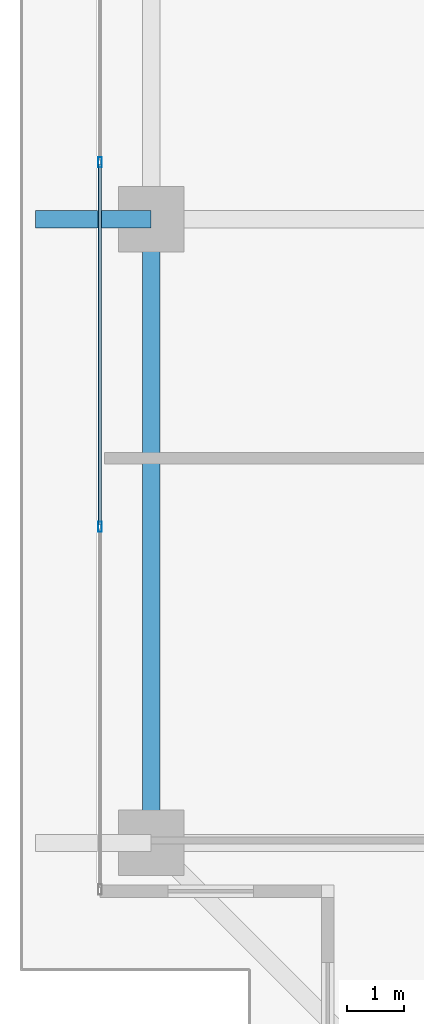
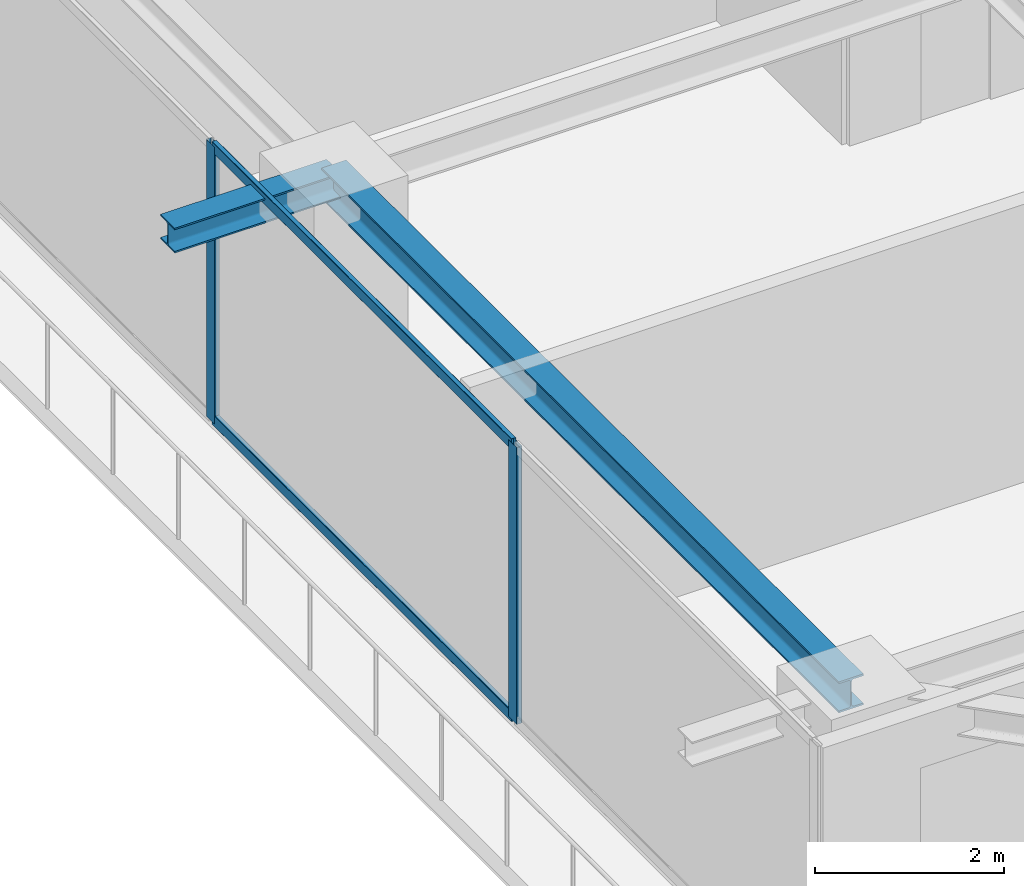
# One storey, part 7 of 38: 4 members, 2 beams, 1 element without a shape of its own.
"""IFC4 building model written with IfcOpenShell, lengths in metres."""

from ifc_helpers import new_model, si_unit, direction, frame, origin, origin_2d, place, context, subcontext, project, spatial, hollow_rectangle, i_section, extrude, source, transform, mapped, material, layer, layer_set, material_profile, profile_set, type_object, element, aggregate, save


model = new_model("IFC4")

# Units and contexts
model_context = context("Model", 3, precision=1e-05, world=origin(), true_north=direction((0.0, 1.0)))
body_context = subcontext(model_context, "Body", "Model", "MODEL_VIEW")
ifc_project = project(units=[si_unit("LENGTHUNIT", "METRE"), si_unit("AREAUNIT", "SQUARE_METRE"), si_unit("VOLUMEUNIT", "CUBIC_METRE"), si_unit("PLANEANGLEUNIT", "RADIAN"), si_unit("MASSUNIT", "GRAM", prefix="KILO")], contexts=[model_context])

# Site, building, storey
site_placement = place(None, origin())
site = spatial("IfcSite", under=ifc_project, at=site_placement, CompositionType="ELEMENT")
building_placement = place(site_placement, origin())
building = spatial("IfcBuilding", under=site, at=building_placement, Name="Serunith Strait Residences", CompositionType="ELEMENT")
storey_placement = place(building_placement, frame((0.0, 0.0, 245.10009765625)))
storey = spatial("IfcBuildingStorey", under=building, at=storey_placement, Name="L61", CompositionType="ELEMENT", Elevation=245.10009765625)

# Beams
ifc_material_1 = material(Name="Steel S355J2", Category="steel")
ifc_material_profile_1 = material_profile(ifc_material_1, i_section(OverallWidth=0.300048828125, OverallDepth=0.39990234375, WebThickness=0.013427734375, FlangeThickness=0.02392578125, FilletRadius=0.027099609375, at=origin_2d()), Name="HEB 400")
ifc_profile_set_1 = profile_set([ifc_material_profile_1], Name="Steel S355J2")
beam_type_1 = type_object("IfcBeamType", Name="BM-HEB400", PredefinedType="BEAM", material=ifc_profile_set_1)
shared_shape_1 = source(origin(), body_context, "Body", "SweptSolid", [
    extrude(i_section(OverallWidth=0.300048828125, OverallDepth=0.39990234375, WebThickness=0.013427734375, FlangeThickness=0.02392578125, FilletRadius=0.027099609375, at=origin_2d()), origin(), (0.0, 0.0, 1.0), 10.949951171875),
])
beam_1_placement = place(storey_placement, frame((8.300048828125, 21.0, 3.386962890625), z_axis=(0.0, -1.0, 0.0), x_axis=(1.0, 0.0, 0.0)))
element("IfcBeam", 1, at=beam_1_placement, inside=storey, type_object=beam_type_1, Name="L61 Perimeter Ring Beam 15", PredefinedType="BEAM", context=body_context, shape_type="MappedRepresentation", body=[
    mapped(shared_shape_1, transform((0.0, 0.0, 0.0), scale=1.0)),
])
ifc_material_profile_2 = material_profile(ifc_material_1, i_section(OverallWidth=0.300048828125, OverallDepth=0.320068359375, WebThickness=0.011474609375, FlangeThickness=0.0205078125, FilletRadius=0.027099609375, at=origin_2d()), Name="HEB 320")
ifc_profile_set_2 = profile_set([ifc_material_profile_2], Name="Steel S355J2")
beam_type_2 = type_object("IfcBeamType", Name="BM-HEB320", PredefinedType="BEAM", material=ifc_profile_set_2)
shared_shape_2 = source(origin(), body_context, "Body", "SweptSolid", [
    extrude(i_section(OverallWidth=0.300048828125, OverallDepth=0.320068359375, WebThickness=0.011474609375, FlangeThickness=0.0205078125, FilletRadius=0.027099609375, at=origin_2d()), origin(), (0.0, 0.0, 1.0), 2.030029296875),
])
beam_2_placement = place(storey_placement, frame((8.300048828125, 21.0, 3.39697265625), z_axis=(-1.0, 0.0, 0.0), x_axis=(0.0, -1.0, 0.0)))
element("IfcBeam", 2, at=beam_2_placement, inside=storey, type_object=beam_type_2, Name="L62 Cantilevered Balcony Rib TC-W2", PredefinedType="BEAM", context=body_context, shape_type="MappedRepresentation", body=[
    mapped(shared_shape_2, transform((0.0, 0.0, 0.0), scale=1.0)),
])

# Curtain wall, members
ifc_material_2 = material(Name="Pale-Champagne Anodised Aluminium", Category="aluminium")
ifc_layer = layer(ifc_material_2, 0.199951171875, Name="Pale-Champagne Anodised Aluminium")
ifc_layer_set = layer_set([ifc_layer], Name="Pale-Champagne Anodised Aluminium")
curtain_wall_type = type_object("IfcCurtainWallType", Name="CW-SYS4", PredefinedType="NOTDEFINED", material=ifc_layer_set)
curtain_wall_placement = place(storey_placement, origin())
curtain_wall = element("IfcCurtainWall", 3, at=curtain_wall_placement, inside=storey, type_object=curtain_wall_type, Name="L61 W Unitised Fritted Curtain Wall", PredefinedType="NOTDEFINED")
ifc_material_profile_3 = material_profile(ifc_material_2, hollow_rectangle(XDim=0.06494140625, YDim=0.179931640625, WallThickness=0.00341796875, InnerFilletRadius=0.00537109375, OuterFilletRadius=0.0087890625, at=origin_2d()), Name="ALU 180x65x3.5")
ifc_profile_set_3 = profile_set([ifc_material_profile_3], Name="Pale-Champagne Anodised Aluminium")
member_type_1 = type_object("IfcMemberType", Name="CW-SYS4-MULL", PredefinedType="MULLION", material=ifc_profile_set_3)
shared_shape_3 = source(origin(), body_context, "Body", "SweptSolid", [
    extrude(hollow_rectangle(XDim=0.06494140625, YDim=0.179931640625, WallThickness=0.00341796875, InnerFilletRadius=0.00537109375, OuterFilletRadius=0.0087890625, at=origin_2d()), origin(), (0.0, 0.0, 1.0), 3.574951171875),
])
member_1_placement = place(storey_placement, frame((7.39990234375, 22.0, 0.0), z_axis=(0.0, 0.0, 1.0), x_axis=(1.0, 0.0, 0.0)))
member_1 = element("IfcMember", 4, at=member_1_placement, type_object=member_type_1, Name="CW-4 mullion 4", PredefinedType="MULLION", context=body_context, shape_type="MappedRepresentation", body=[
    mapped(shared_shape_3, transform((0.0, 0.0, 0.0), scale=1.0)),
])
member_2_placement = place(storey_placement, frame((7.39990234375, 15.60009765625, 0.0), z_axis=(0.0, 0.0, 1.0), x_axis=(1.0, 0.0, 0.0)))
member_2 = element("IfcMember", 5, at=member_2_placement, type_object=member_type_1, Name="CW-4 mullion 5", PredefinedType="MULLION", context=body_context, shape_type="MappedRepresentation", body=[
    mapped(shared_shape_3, transform((0.0, 0.0, 0.0), scale=1.0)),
])
ifc_material_profile_4 = material_profile(ifc_material_2, hollow_rectangle(XDim=0.06005859375, YDim=0.139892578125, WallThickness=0.00341796875, InnerFilletRadius=0.00537109375, OuterFilletRadius=0.0087890625, at=origin_2d()), Name="ALU 140x60x3.5")
ifc_profile_set_4 = profile_set([ifc_material_profile_4], Name="Pale-Champagne Anodised Aluminium")
member_type_2 = type_object("IfcMemberType", Name="CW-SYS4-TRAN", PredefinedType="USERDEFINED", material=ifc_profile_set_4)
shared_shape_4 = source(origin(), body_context, "Body", "SweptSolid", [
    extrude(hollow_rectangle(XDim=0.06005859375, YDim=0.139892578125, WallThickness=0.00341796875, InnerFilletRadius=0.00537109375, OuterFilletRadius=0.0087890625, at=origin_2d()), origin(), (0.0, 0.0, 1.0), 6.3349609375),
])
member_3_placement = place(storey_placement, frame((7.39990234375, 21.967529296875, 0.02978515625), z_axis=(0.0, -1.0, 0.0), x_axis=(1.0, 0.0, 0.0)))
member_3 = element("IfcMember", 6, at=member_3_placement, type_object=member_type_2, Name="CW-4 transom 4.1", ObjectType="TRANSOM", PredefinedType="USERDEFINED", context=body_context, shape_type="MappedRepresentation", body=[
    mapped(shared_shape_4, transform((0.0, 0.0, 0.0), scale=1.0)),
])
member_4_placement = place(storey_placement, frame((7.39990234375, 21.967529296875, 3.544921875), z_axis=(0.0, -1.0, 0.0), x_axis=(1.0, 0.0, 0.0)))
member_4 = element("IfcMember", 7, at=member_4_placement, type_object=member_type_2, Name="CW-4 transom 4.2", ObjectType="TRANSOM", PredefinedType="USERDEFINED", context=body_context, shape_type="MappedRepresentation", body=[
    mapped(shared_shape_4, transform((0.0, 0.0, 0.0), scale=1.0)),
])
aggregate(curtain_wall, [member_1, member_2, member_3, member_4])

save(model, "model.ifc")
